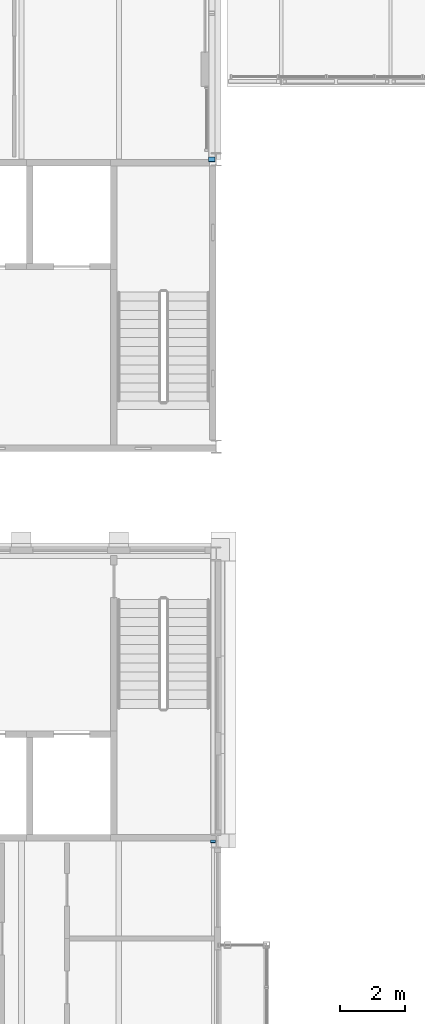
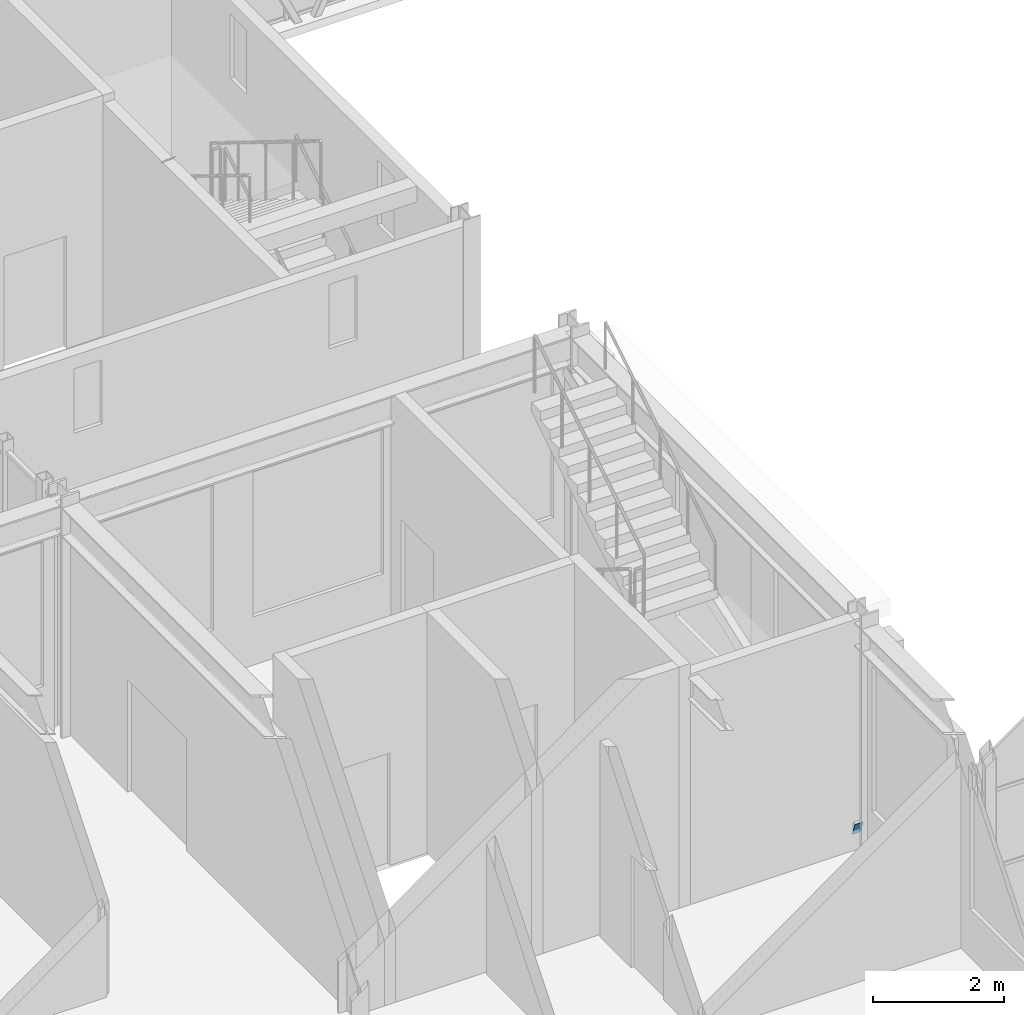
# One storey, part 118 of 149: 2 discrete accessories.
"""IFC4 building model written with IfcOpenShell, lengths in metres."""

from ifc_helpers import new_model, si_unit, direction, frame, origin, origin_2d, place, context, subcontext, project, spatial, rectangle, extrude, material, material_profile, profile_set, type_object, element, save


model = new_model("IFC4")

# Units and contexts
model_context = context("Model", 3, precision=1e-05, world=origin(), true_north=direction((0.0, 1.0)))
body_context = subcontext(model_context, "Body", "Model", "MODEL_VIEW")
ifc_project = project(units=[si_unit("LENGTHUNIT", "METRE"), si_unit("AREAUNIT", "SQUARE_METRE"), si_unit("VOLUMEUNIT", "CUBIC_METRE"), si_unit("PLANEANGLEUNIT", "RADIAN"), si_unit("MASSUNIT", "GRAM", prefix="KILO")], contexts=[model_context])

# Site, building, storey
site_placement = place(None, origin())
site = spatial("IfcSite", under=ifc_project, at=site_placement, CompositionType="ELEMENT")
building_placement = place(site_placement, origin())
building = spatial("IfcBuilding", under=site, at=building_placement, Name="Kallimachos Central Library", CompositionType="ELEMENT")
storey_placement = place(building_placement, frame((0.0, 0.0, 9.89990234375)))
storey = spatial("IfcBuildingStorey", under=building, at=storey_placement, Name="L02", CompositionType="ELEMENT", Elevation=9.89990234375)

# Discrete accessories
ifc_material_1 = material(Name="Steel S355J2", Category="steel")
ifc_material_profile_1 = material_profile(ifc_material_1, rectangle(XDim=0.14990234375, YDim=0.25, at=origin_2d()), Name="End cap plate 10, 150x250")
ifc_profile_set_1 = profile_set([ifc_material_profile_1], Name="Steel S355J2")
discrete_accessory_type_1 = type_object("IfcDiscreteAccessoryType", Name="End cap plate 10, 150x250", PredefinedType="BRACKET", material=ifc_profile_set_1)
discrete_accessory_1_placement = place(storey_placement, frame((110.39990234375, 74.990478515625, 0.396728515625), z_axis=(0.0, 0.941194670762, 0.337864753607), x_axis=(-1.0, 0.0, 0.0)))
element("IfcDiscreteAccessory", 1, at=discrete_accessory_1_placement, inside=storey, type_object=discrete_accessory_type_1, Name="End cap plate", PredefinedType="BRACKET", context=body_context, shape_type="SweptSolid", body=[
    extrude(rectangle(XDim=0.14990234375, YDim=0.25, at=origin_2d()), origin(), (0.0, 0.0, 1.0), 0.010009765625),
])
ifc_material_2 = material(Name="Steel S355J2", Category="steel")
ifc_material_profile_2 = material_profile(ifc_material_2, rectangle(XDim=0.199951171875, YDim=0.199951171875, at=origin_2d()), Name="End cap plate 10, 200x200")
ifc_profile_set_2 = profile_set([ifc_material_profile_2], Name="Steel S355J2")
discrete_accessory_type_2 = type_object("IfcDiscreteAccessoryType", Name="End cap plate 10, 200x200", PredefinedType="BRACKET", material=ifc_profile_set_2)
discrete_accessory_2_placement = place(storey_placement, frame((110.364990234375, 95.99267578125, 0.143310546875), z_axis=(0.0, 0.731055268243, 0.68231825036), x_axis=(-1.0, 0.0, 0.0)))
element("IfcDiscreteAccessory", 2, at=discrete_accessory_2_placement, inside=storey, type_object=discrete_accessory_type_2, Name="End cap plate", PredefinedType="BRACKET", context=body_context, shape_type="SweptSolid", body=[
    extrude(rectangle(XDim=0.199951171875, YDim=0.199951171875, at=origin_2d()), origin(), (0.0, 0.0, 1.0), 0.010009765625),
])

save(model, "model.ifc")
